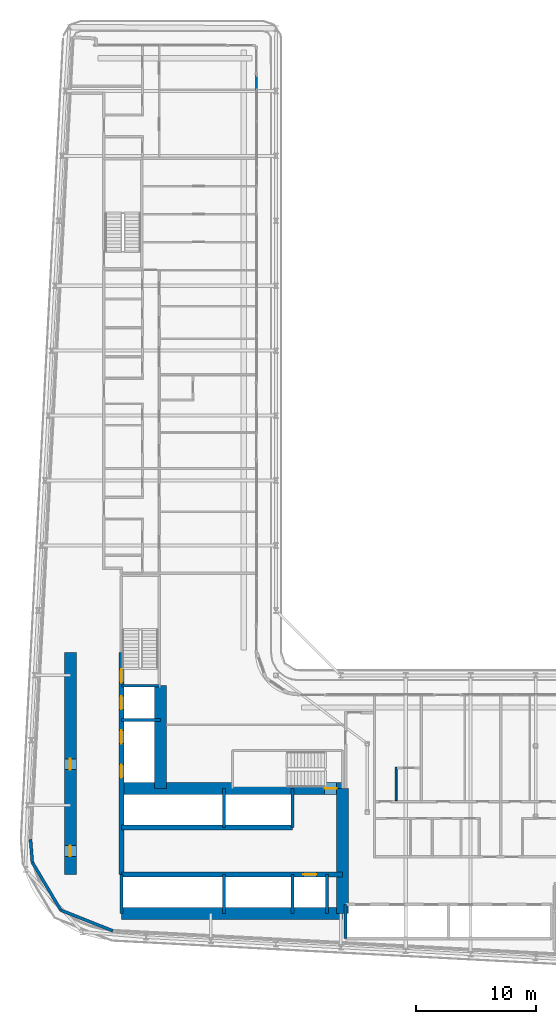
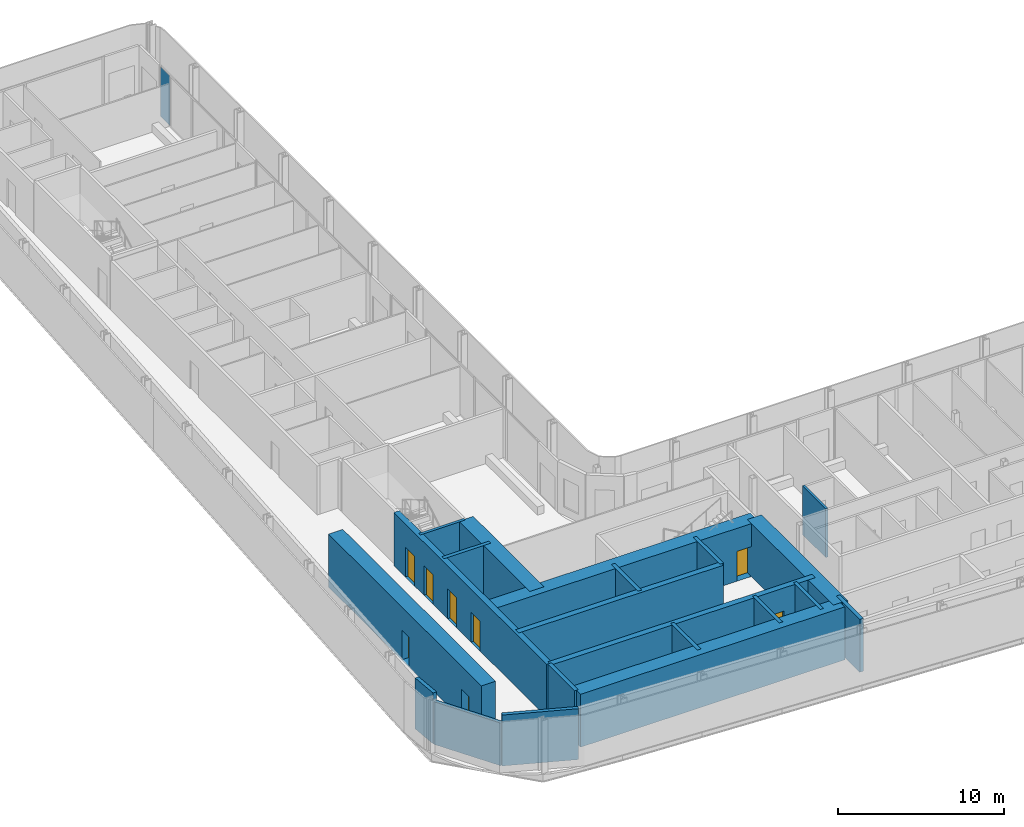
# One storey, part 12 of 28: 21 walls, 8 doors, 1 plate, 8 openings, 1 element without a shape of its own.
"""IFC4 building model written with IfcOpenShell, lengths in metres."""

from ifc_helpers import new_model, si_unit, direction, frame, frame_2d, origin, origin_2d, place, context, subcontext, project, spatial, rectangle, extrude, source, transform, mapped, material, layer, layer_set, type_object, element, fill, aggregate, save


model = new_model("IFC4")

# Units and contexts
model_context = context("Model", 3, precision=1e-05, world=origin(), true_north=direction((0.0, 1.0)))
body_context = subcontext(model_context, "Body", "Model", "MODEL_VIEW")
ifc_project = project(units=[si_unit("LENGTHUNIT", "METRE"), si_unit("AREAUNIT", "SQUARE_METRE"), si_unit("VOLUMEUNIT", "CUBIC_METRE"), si_unit("PLANEANGLEUNIT", "RADIAN"), si_unit("MASSUNIT", "GRAM", prefix="KILO")], contexts=[model_context])

# Site, building, storey
site_placement = place(None, origin())
site = spatial("IfcSite", under=ifc_project, at=site_placement, CompositionType="ELEMENT")
building_placement = place(site_placement, origin())
building = spatial("IfcBuilding", under=site, at=building_placement, Name="Kheshtan School and Residences Tower", CompositionType="ELEMENT")
storey_placement = place(building_placement, frame((0.0, 0.0, 42.199951171875)))
storey = spatial("IfcBuildingStorey", under=building, at=storey_placement, Name="L09", CompositionType="ELEMENT", Elevation=42.199951171875)

# Curtain wall, plate
ifc_material_1 = material(Name="Clear low-e glass in thermally broken aluminium frame", Category="aluminium")
ifc_layer_1 = layer(ifc_material_1, 0.199951171875)
ifc_layer_set_1 = layer_set([ifc_layer_1], Name="Curtain wall CW-L")
curtain_wall_type = type_object("IfcCurtainWallType", Name="Curtain wall CW-L", PredefinedType="NOTDEFINED", material=ifc_layer_set_1)
curtain_wall_placement = place(storey_placement, origin())
curtain_wall = element("IfcCurtainWall", 1, at=curtain_wall_placement, inside=storey, type_object=curtain_wall_type, Name="Curtain wall CWL8c", PredefinedType="NOTDEFINED")
ifc_layer_2 = layer(ifc_material_1, 0.031982421875)
ifc_layer_set_2 = layer_set([ifc_layer_2], Name="CW-L glass panel")
plate_type = type_object("IfcPlateType", Name="CW-L glass panel", PredefinedType="CURTAIN_PANEL", material=ifc_layer_set_2)
plate_placement = place(storey_placement, frame((46.0, 94.885009765625, 0.0), z_axis=(0.0, 0.0, 1.0), x_axis=(0.0, -1.0, 0.0)))
plate = element("IfcPlate", 2, at=plate_placement, type_object=plate_type, Name="CWL8c panel 1.1", PredefinedType="CURTAIN_PANEL", context=body_context, shape_type="SweptSolid", body=[
    extrude(rectangle(XDim=1.110107421875, YDim=0.031982421875, at=origin_2d()), origin(), (0.0, 0.0, 1.0), 3.6298828125),
])
aggregate(curtain_wall, [plate])

# Wall
ifc_material_2 = material(Name="Concrete C80/95", Category="concrete")
ifc_layer_3 = layer(ifc_material_2, 1.0)
ifc_layer_set_3 = layer_set([ifc_layer_3], Name="Core wall 1000 Concrete C80/95")
wall_type_1 = type_object("IfcWallType", Name="Core wall 1000 Concrete C80/95", PredefinedType="SHEAR", material=ifc_layer_set_3)
wall_1_placement = place(storey_placement, frame((34.75, 25.800048828125, 0.0), z_axis=(0.0, 0.0, 1.0), x_axis=(1.0, 0.0, 0.0)))
element("IfcWall", 3, at=wall_1_placement, inside=storey, type_object=wall_type_1, Name="Core wall CW-REAR-S", PredefinedType="SHEAR", context=body_context, shape_type="SweptSolid", body=[
    extrude(rectangle(XDim=18.39990234375, YDim=1.0, at=frame_2d((9.199951171875, 0.0))), origin(), (0.0, 0.0, 1.0), 3.900146484375),
])

# Wall, opening, door
wall_2_placement = place(storey_placement, frame((34.75, 36.199951171875, 0.0), z_axis=(0.0, 0.0, 1.0), x_axis=(1.0, 0.0, 0.0)))
wall_2 = element("IfcWall", 4, at=wall_2_placement, inside=storey, type_object=wall_type_1, Name="Core wall CW-FRONT-S", PredefinedType="SHEAR", context=body_context, shape_type="SweptSolid", body=[
    extrude(rectangle(XDim=18.39990234375, YDim=1.0, at=frame_2d((9.199951171875, 0.0))), origin(), (0.0, 0.0, 1.0), 3.900146484375),
])
opening_1_placement = place(wall_2_placement, frame((16.89990234375, 0.0, 0.0)))
opening_1 = element("IfcOpeningElement", 5, at=opening_1_placement, cuts=wall_2, Name="Opening ST1D", PredefinedType="OPENING", context=body_context, shape_type="SweptSolid", body=[
    extrude(rectangle(XDim=1.0, YDim=2.199951171875, at=frame_2d((0.5, 1.10009765625))), frame((0.0, 0.510009765625, 0.0), z_axis=(0.0, -1.0, 0.0), x_axis=(1.0, 0.0, 0.0)), (0.0, 0.0, 1.0), 1.02001953125),
])
ifc_material_3 = material(Name="Steel door leaf, galvanised", Category="steel")
door_type_1 = type_object("IfcDoorType", Name="Stair door 1100 steel 90 min", OperationType="SINGLE_SWING_LEFT", PredefinedType="DOOR", material=ifc_material_3)
shared_shape_1 = source(origin(), body_context, "Body", "SweptSolid", [
    extrude(rectangle(XDim=1.0, YDim=2.199951171875, at=frame_2d((0.5, 1.10009765625))), frame((0.0, 0.02490234375, 0.0), z_axis=(0.0, -1.0, 0.0), x_axis=(1.0, 0.0, 0.0)), (0.0, 0.0, 1.0), 0.050048828125),
])
door_1_placement = place(opening_1_placement, origin())
door_1 = element("IfcDoor", 6, at=door_1_placement, inside=storey, type_object=door_type_1, Name="Stair ST1 door", OperationType="SINGLE_SWING_RIGHT", OverallHeight=2.199951171875, OverallWidth=1.0, PredefinedType="DOOR", context=body_context, shape_type="MappedRepresentation", body=[
    mapped(shared_shape_1, transform((0.0, 0.0, 0.0), x_axis=(1.0, 0.0, 0.0), y_axis=(0.0, 1.0, 0.0), z_axis=(0.0, 0.0, 1.0), scale=1.0)),
])
fill(opening_1, door_1)

# Wall
wall_3_placement = place(storey_placement, frame((38.0, 36.199951171875, 0.0), z_axis=(0.0, 0.0, 1.0), x_axis=(0.0, 1.0, 0.0)))
element("IfcWall", 7, at=wall_3_placement, inside=storey, type_object=wall_type_1, Name="Core wall CW-FRONT-W", PredefinedType="SHEAR", context=body_context, shape_type="SweptSolid", body=[
    extrude(rectangle(XDim=8.550048828125, YDim=1.0, at=frame_2d((4.27490234375, 0.0))), origin(), (0.0, 0.0, 1.0), 3.900146484375),
])

# Wall, openings, doors
wall_4_placement = place(storey_placement, frame((30.5, 29.050048828125, 0.0), z_axis=(0.0, 0.0, 1.0), x_axis=(0.0, 1.0, 0.0)))
wall_4 = element("IfcWall", 8, at=wall_4_placement, inside=storey, type_object=wall_type_1, Name="Core wall CW-REAR-W", PredefinedType="SHEAR", context=body_context, shape_type="SweptSolid", body=[
    extrude(rectangle(XDim=18.449951171875, YDim=1.0, at=frame_2d((9.22509765625, 0.0))), origin(), (0.0, 0.0, 1.0), 3.900146484375),
])
opening_2_placement = place(wall_4_placement, frame((1.5, 0.0, 0.0)))
opening_2 = element("IfcOpeningElement", 9, at=opening_2_placement, cuts=wall_4, Name="Opening SR90", PredefinedType="OPENING", context=body_context, shape_type="SweptSolid", body=[
    extrude(rectangle(XDim=0.89990234375, YDim=2.199951171875, at=frame_2d((0.449951171875, 1.10009765625))), frame((0.0, 0.510009765625, 0.0), z_axis=(0.0, -1.0, 0.0), x_axis=(1.0, 0.0, 0.0)), (0.0, 0.0, 1.0), 1.02001953125),
])
opening_3_placement = place(wall_4_placement, frame((8.705078125, 0.0, 0.0)))
opening_3 = element("IfcOpeningElement", 10, at=opening_3_placement, cuts=wall_4, Name="Opening SR90", PredefinedType="OPENING", context=body_context, shape_type="SweptSolid", body=[
    extrude(rectangle(XDim=0.89990234375, YDim=2.199951171875, at=frame_2d((0.449951171875, 1.10009765625))), frame((0.0, 0.510009765625, 0.0), z_axis=(0.0, -1.0, 0.0), x_axis=(1.0, 0.0, 0.0)), (0.0, 0.0, 1.0), 1.02001953125),
])
door_type_2 = type_object("IfcDoorType", Name="Service room door 900 steel 90 min", OperationType="SINGLE_SWING_LEFT", PredefinedType="DOOR", material=ifc_material_3)
shared_shape_2 = source(origin(), body_context, "Body", "SweptSolid", [
    extrude(rectangle(XDim=0.89990234375, YDim=2.199951171875, at=frame_2d((0.449951171875, 1.10009765625))), frame((0.0, 0.02490234375, 0.0), z_axis=(0.0, -1.0, 0.0), x_axis=(1.0, 0.0, 0.0)), (0.0, 0.0, 1.0), 0.050048828125),
])
door_2_placement = place(opening_2_placement, origin())
door_2 = element("IfcDoor", 11, at=door_2_placement, inside=storey, type_object=door_type_2, Name="Service room door", OperationType="SINGLE_SWING_LEFT", OverallHeight=2.199951171875, OverallWidth=0.89990234375, PredefinedType="DOOR", context=body_context, shape_type="MappedRepresentation", body=[
    mapped(shared_shape_2, transform((0.0, 0.0, 0.0), x_axis=(1.0, 0.0, 0.0), y_axis=(0.0, 1.0, 0.0), z_axis=(0.0, 0.0, 1.0), scale=1.0)),
])
fill(opening_2, door_2)
door_3_placement = place(opening_3_placement, origin())
door_3 = element("IfcDoor", 12, at=door_3_placement, inside=storey, type_object=door_type_2, Name="Service room door", OperationType="SINGLE_SWING_LEFT", OverallHeight=2.199951171875, OverallWidth=0.89990234375, PredefinedType="DOOR", context=body_context, shape_type="MappedRepresentation", body=[
    mapped(shared_shape_2, transform((0.0, 0.0, 0.0), x_axis=(1.0, 0.0, 0.0), y_axis=(0.0, 1.0, 0.0), z_axis=(0.0, 0.0, 1.0), scale=1.0)),
])
fill(opening_3, door_3)

# Wall
wall_5_placement = place(storey_placement, frame((53.14990234375, 25.800048828125, 0.0), z_axis=(0.0, 0.0, 1.0), x_axis=(0.0, 1.0, 0.0)))
element("IfcWall", 13, at=wall_5_placement, inside=storey, type_object=wall_type_1, Name="Core wall CW-EAST", PredefinedType="SHEAR", context=body_context, shape_type="SweptSolid", body=[
    extrude(rectangle(XDim=10.39990234375, YDim=1.0, at=frame_2d((5.199951171875, 0.0))), origin(), (0.0, 0.0, 1.0), 3.900146484375),
])

# Wall, opening, door
ifc_material_4 = material(Name="Concrete C50/60", Category="concrete")
ifc_layer_4 = layer(ifc_material_4, 0.39990234375)
ifc_layer_set_4 = layer_set([ifc_layer_4], Name="Core wall 400 Concrete C50/60")
wall_type_2 = type_object("IfcWallType", Name="Core wall 400 Concrete C50/60", PredefinedType="SHEAR", material=ifc_layer_set_4)
wall_6_placement = place(storey_placement, frame((34.75, 29.050048828125, 0.0), z_axis=(0.0, 0.0, 1.0), x_axis=(1.0, 0.0, 0.0)))
wall_6 = element("IfcWall", 14, at=wall_6_placement, inside=storey, type_object=wall_type_2, Name="Core wall CW-HALL-S1", PredefinedType="SHEAR", context=body_context, shape_type="SweptSolid", body=[
    extrude(rectangle(XDim=18.39990234375, YDim=0.39990234375, at=frame_2d((9.199951171875, 0.0))), origin(), (0.0, 0.0, 1.0), 3.900146484375),
])
opening_4_placement = place(wall_6_placement, frame((15.125, 0.0, 0.0)))
opening_4 = element("IfcOpeningElement", 15, at=opening_4_placement, cuts=wall_6, Name="Opening LD", PredefinedType="OPENING", context=body_context, shape_type="SweptSolid", body=[
    extrude(rectangle(XDim=1.10009765625, YDim=2.199951171875, at=frame_2d((0.550048828125, 1.10009765625))), frame((0.0, 0.2099609375, 0.0), z_axis=(0.0, -1.0, 0.0), x_axis=(1.0, 0.0, 0.0)), (0.0, 0.0, 1.0), 0.419921875),
])
ifc_material_5 = material(Name="Stainless steel door leaves", Category="steel")
door_type_3 = type_object("IfcDoorType", Name="Lift landing door 1100", OperationType="SLIDING_TO_LEFT", PredefinedType="DOOR", material=ifc_material_5)
shared_shape_3 = source(origin(), body_context, "Body", "SweptSolid", [
    extrude(rectangle(XDim=1.10009765625, YDim=2.199951171875, at=frame_2d((0.550048828125, 1.10009765625))), frame((0.0, 0.02490234375, 0.0), z_axis=(0.0, -1.0, 0.0), x_axis=(1.0, 0.0, 0.0)), (0.0, 0.0, 1.0), 0.050048828125),
])
door_4_placement = place(opening_4_placement, origin())
door_4 = element("IfcDoor", 16, at=door_4_placement, inside=storey, type_object=door_type_3, Name="Lift FFL2 landing door", OperationType="SLIDING_TO_LEFT", OverallHeight=2.199951171875, OverallWidth=1.10009765625, PredefinedType="DOOR", context=body_context, shape_type="MappedRepresentation", body=[
    mapped(shared_shape_3, transform((0.0, 0.0, 0.0), x_axis=(1.0, 0.0, 0.0), y_axis=(0.0, 1.0, 0.0), z_axis=(0.0, 0.0, 1.0), scale=1.0)),
])
fill(opening_4, door_4)

# Wall
wall_7_placement = place(storey_placement, frame((34.75, 32.949951171875, 0.0), z_axis=(0.0, 0.0, 1.0), x_axis=(1.0, 0.0, 0.0)))
element("IfcWall", 17, at=wall_7_placement, inside=storey, type_object=wall_type_2, Name="Core wall CW-HALL-S2", PredefinedType="SHEAR", context=body_context, shape_type="SweptSolid", body=[
    extrude(rectangle(XDim=14.25, YDim=0.39990234375, at=frame_2d((7.125, 0.0))), origin(), (0.0, 0.0, 1.0), 3.900146484375),
])

# Wall, openings, doors
wall_8_placement = place(storey_placement, frame((34.75, 29.050048828125, 0.0), z_axis=(0.0, 0.0, 1.0), x_axis=(0.0, 1.0, 0.0)))
wall_8 = element("IfcWall", 18, at=wall_8_placement, inside=storey, type_object=wall_type_2, Name="Core wall CW-HALL-W1", PredefinedType="SHEAR", context=body_context, shape_type="SweptSolid", body=[
    extrude(rectangle(XDim=18.449951171875, YDim=0.39990234375, at=frame_2d((9.22509765625, 0.0))), origin(), (0.0, 0.0, 1.0), 3.900146484375),
])
opening_5_placement = place(wall_8_placement, frame((8.02490234375, 0.0, 0.0)))
opening_5 = element("IfcOpeningElement", 19, at=opening_5_placement, cuts=wall_8, Name="Opening LD", PredefinedType="OPENING", context=body_context, shape_type="SweptSolid", body=[
    extrude(rectangle(XDim=1.10009765625, YDim=2.199951171875, at=frame_2d((0.550048828125, 1.10009765625))), frame((0.0, 0.2099609375, 0.0), z_axis=(0.0, -1.0, 0.0), x_axis=(1.0, 0.0, 0.0)), (0.0, 0.0, 1.0), 0.419921875),
])
opening_6_placement = place(wall_8_placement, frame((10.875, 0.0, 0.0)))
opening_6 = element("IfcOpeningElement", 20, at=opening_6_placement, cuts=wall_8, Name="Opening LD", PredefinedType="OPENING", context=body_context, shape_type="SweptSolid", body=[
    extrude(rectangle(XDim=1.10009765625, YDim=2.199951171875, at=frame_2d((0.550048828125, 1.10009765625))), frame((0.0, 0.2099609375, 0.0), z_axis=(0.0, -1.0, 0.0), x_axis=(1.0, 0.0, 0.0)), (0.0, 0.0, 1.0), 0.419921875),
])
opening_7_placement = place(wall_8_placement, frame((13.72509765625, 0.0, 0.0)))
opening_7 = element("IfcOpeningElement", 21, at=opening_7_placement, cuts=wall_8, Name="Opening LD", PredefinedType="OPENING", context=body_context, shape_type="SweptSolid", body=[
    extrude(rectangle(XDim=1.10009765625, YDim=2.199951171875, at=frame_2d((0.550048828125, 1.10009765625))), frame((0.0, 0.2099609375, 0.0), z_axis=(0.0, -1.0, 0.0), x_axis=(1.0, 0.0, 0.0)), (0.0, 0.0, 1.0), 0.419921875),
])
opening_8_placement = place(wall_8_placement, frame((15.949951171875, 0.0, 0.0)))
opening_8 = element("IfcOpeningElement", 22, at=opening_8_placement, cuts=wall_8, Name="Opening ST2D", PredefinedType="OPENING", context=body_context, shape_type="SweptSolid", body=[
    extrude(rectangle(XDim=1.10009765625, YDim=2.199951171875, at=frame_2d((0.550048828125, 1.10009765625))), frame((0.0, 0.2099609375, 0.0), z_axis=(0.0, -1.0, 0.0), x_axis=(1.0, 0.0, 0.0)), (0.0, 0.0, 1.0), 0.419921875),
])
door_5_placement = place(opening_5_placement, origin())
door_5 = element("IfcDoor", 23, at=door_5_placement, inside=storey, type_object=door_type_3, Name="Lift SV1 landing door", OperationType="SLIDING_TO_LEFT", OverallHeight=2.199951171875, OverallWidth=1.10009765625, PredefinedType="DOOR", context=body_context, shape_type="MappedRepresentation", body=[
    mapped(shared_shape_3, transform((0.0, 0.0, 0.0), x_axis=(1.0, 0.0, 0.0), y_axis=(0.0, 1.0, 0.0), z_axis=(0.0, 0.0, 1.0), scale=1.0)),
])
fill(opening_5, door_5)
door_6_placement = place(opening_6_placement, origin())
door_6 = element("IfcDoor", 24, at=door_6_placement, inside=storey, type_object=door_type_3, Name="Lift SV2 landing door", OperationType="SLIDING_TO_LEFT", OverallHeight=2.199951171875, OverallWidth=1.10009765625, PredefinedType="DOOR", context=body_context, shape_type="MappedRepresentation", body=[
    mapped(shared_shape_3, transform((0.0, 0.0, 0.0), x_axis=(1.0, 0.0, 0.0), y_axis=(0.0, 1.0, 0.0), z_axis=(0.0, 0.0, 1.0), scale=1.0)),
])
fill(opening_6, door_6)
door_7_placement = place(opening_7_placement, origin())
door_7 = element("IfcDoor", 25, at=door_7_placement, inside=storey, type_object=door_type_3, Name="Lift FFL1 landing door", OperationType="SLIDING_TO_LEFT", OverallHeight=2.199951171875, OverallWidth=1.10009765625, PredefinedType="DOOR", context=body_context, shape_type="MappedRepresentation", body=[
    mapped(shared_shape_3, transform((0.0, 0.0, 0.0), x_axis=(1.0, 0.0, 0.0), y_axis=(0.0, 1.0, 0.0), z_axis=(0.0, 0.0, 1.0), scale=1.0)),
])
fill(opening_7, door_7)
shared_shape_4 = source(origin(), body_context, "Body", "SweptSolid", [
    extrude(rectangle(XDim=1.10009765625, YDim=2.199951171875, at=frame_2d((0.550048828125, 1.10009765625))), frame((0.0, 0.02490234375, 0.0), z_axis=(0.0, -1.0, 0.0), x_axis=(1.0, 0.0, 0.0)), (0.0, 0.0, 1.0), 0.050048828125),
])
door_8_placement = place(opening_8_placement, origin())
door_8 = element("IfcDoor", 26, at=door_8_placement, inside=storey, type_object=door_type_1, Name="Stair ST2 door", OperationType="SINGLE_SWING_RIGHT", OverallHeight=2.199951171875, OverallWidth=1.10009765625, PredefinedType="DOOR", context=body_context, shape_type="MappedRepresentation", body=[
    mapped(shared_shape_4, transform((0.0, 0.0, 0.0), x_axis=(1.0, 0.0, 0.0), y_axis=(0.0, 1.0, 0.0), z_axis=(0.0, 0.0, 1.0), scale=1.0)),
])
fill(opening_8, door_8)

# Walls
ifc_material_6 = material(Name="Concrete C40/50 with ceramic cladding and mineral wool insulation", Category="concrete")
ifc_layer_5 = layer(ifc_material_6, 0.25)
ifc_layer_set_5 = layer_set([ifc_layer_5], Name="External wall 250 ceramic clad")
wall_type_3 = type_object("IfcWallType", Name="External wall 250 ceramic clad", PredefinedType="SOLIDWALL", material=ifc_layer_set_5)
wall_9_placement = place(storey_placement, frame((34.0390625, 24.35302734375, 0.0), z_axis=(0.0, 0.0, 1.0), x_axis=(-0.929352825399, 0.369192803184, 0.0)))
element("IfcWall", 27, at=wall_9_placement, inside=storey, type_object=wall_type_3, Name="External wall L09 1", PredefinedType="SOLIDWALL", context=body_context, shape_type="SweptSolid", body=[
    extrude(rectangle(XDim=4.656005859375, YDim=0.25, at=frame_2d((2.328125, 0.0))), origin(), (0.0, 0.0, 1.0), 3.75),
])
wall_10_placement = place(storey_placement, frame((29.7119140625, 26.072021484375, 0.0), z_axis=(0.0, 0.0, 1.0), x_axis=(-0.511028049012, 0.859564036662, 0.0)))
element("IfcWall", 28, at=wall_10_placement, inside=storey, type_object=wall_type_3, Name="External wall L09 2", PredefinedType="SOLIDWALL", context=body_context, shape_type="SweptSolid", body=[
    extrude(rectangle(XDim=4.633544921875, YDim=0.25, at=frame_2d((2.31689453125, 0.0))), origin(), (0.0, 0.0, 1.0), 3.133056640625),
])
wall_11_placement = place(storey_placement, frame((27.343994140625, 30.054931640625, 0.0), z_axis=(0.0, 0.0, 1.0), x_axis=(-0.077571675317, 0.99698677784, 0.0)))
element("IfcWall", 29, at=wall_11_placement, inside=storey, type_object=wall_type_3, Name="External wall L09 3", PredefinedType="SOLIDWALL", context=body_context, shape_type="SweptSolid", body=[
    extrude(rectangle(XDim=1.919921875, YDim=0.25, at=frame_2d((0.9599609375, 0.0))), origin(), (0.0, 0.0, 1.0), 3.75),
])
ifc_material_7 = material(Name="Fire-board shaft wall system")
ifc_layer_6 = layer(ifc_material_7, 0.25)
ifc_layer_set_6 = layer_set([ifc_layer_6], Name="Shaft lining wall 250")
wall_type_4 = type_object("IfcWallType", Name="Shaft lining wall 250", PredefinedType="PARTITIONING", material=ifc_layer_set_6)
for number, where, z_axis, x_axis, name in (
    (30, (34.75, 25.800048828125, 0.0), (0.0, 0.0, 1.0), (0.0, 1.0, 0.0), "Shaft lining wall"),
    (31, (43.300048828125, 25.800048828125, 0.0), (0.0, 0.0, 1.0), (0.0, 1.0, 0.0), "Shaft lining wall"),
    (32, (43.300048828125, 32.949951171875, 0.0), (0.0, 0.0, 1.0), (0.0, 1.0, 0.0), "Shaft lining wall"),
    (33, (49.0, 25.800048828125, 0.0), (0.0, 0.0, 1.0), (0.0, 1.0, 0.0), "Shaft lining wall"),
    (34, (49.0, 32.949951171875, 0.0), (0.0, 0.0, 1.0), (0.0, 1.0, 0.0), "Shaft lining wall"),
    (35, (51.85009765625, 25.800048828125, 0.0), (0.0, 0.0, 1.0), (0.0, 1.0, 0.0), "Shaft lining wall"),
):
    element("IfcWall", number, at=place(storey_placement, frame(where, z_axis=z_axis, x_axis=x_axis)), inside=storey, type_object=wall_type_4, Name=name, PredefinedType="PARTITIONING", context=body_context, shape_type="SweptSolid", body=[
        extrude(rectangle(XDim=3.25, YDim=0.25, at=frame_2d((1.625, 0.0))), origin(), (0.0, 0.0, 1.0), 3.900146484375),
    ])
wall_12_placement = place(storey_placement, frame((53.39990234375, 23.699951171875, 0.0), z_axis=(0.0, 0.0, 1.0), x_axis=(0.0, 1.0, 0.0)))
element("IfcWall", 36, at=wall_12_placement, inside=storey, type_object=wall_type_4, Name="Shaft lining wall", PredefinedType="PARTITIONING", context=body_context, shape_type="SweptSolid", body=[
    extrude(rectangle(XDim=2.85009765625, YDim=0.25, at=frame_2d((1.425048828125, 0.0))), origin(), (0.0, 0.0, 1.0), 3.900146484375),
])
wall_13_placement = place(storey_placement, frame((34.75, 41.89990234375, 0.0), z_axis=(0.0, 0.0, 1.0), x_axis=(1.0, 0.0, 0.0)))
element("IfcWall", 37, at=wall_13_placement, inside=storey, type_object=wall_type_4, Name="Shaft lining wall", PredefinedType="PARTITIONING", context=body_context, shape_type="SweptSolid", body=[
    extrude(rectangle(XDim=3.25, YDim=0.25, at=frame_2d((1.625, 0.0))), origin(), (0.0, 0.0, 1.0), 3.900146484375),
])
ifc_material_8 = material(Name="Concrete C40/50", Category="concrete")
ifc_layer_7 = layer(ifc_material_8, 0.199951171875)
ifc_layer_set_7 = layer_set([ifc_layer_7], Name="Stair enclosure wall 200 Concrete C40/50")
wall_type_5 = type_object("IfcWallType", Name="Stair enclosure wall 200 Concrete C40/50", PredefinedType="SHEAR", material=ifc_layer_set_7)
wall_14_placement = place(storey_placement, frame((34.75, 44.75, 0.0), z_axis=(0.0, 0.0, 1.0), x_axis=(1.0, 0.0, 0.0)))
element("IfcWall", 38, at=wall_14_placement, inside=storey, type_object=wall_type_5, Name="Stair enclosure wall ST2", PredefinedType="SHEAR", context=body_context, shape_type="SweptSolid", body=[
    extrude(rectangle(XDim=3.14990234375, YDim=0.199951171875, at=frame_2d((1.574951171875, 0.0))), origin(), (0.0, 0.0, 1.0), 3.900146484375),
])
ifc_material_9 = material(Name="Moisture-resistant gypsum board on steel studs", Category="steel")
ifc_layer_8 = layer(ifc_material_9, 0.14990234375)
ifc_layer_set_8 = layer_set([ifc_layer_8], Name="Wet-room partition 150")
wall_type_6 = type_object("IfcWallType", Name="Wet-room partition 150", PredefinedType="PARTITIONING", material=ifc_layer_set_8)
wall_15_placement = place(storey_placement, frame((57.60009765625, 35.175048828125, 0.0), z_axis=(0.0, 0.0, 1.0), x_axis=(0.0, 1.0, 0.0)))
element("IfcWall", 39, at=wall_15_placement, inside=storey, type_object=wall_type_6, Name="Partition L09-050", PredefinedType="PARTITIONING", context=body_context, shape_type="SweptSolid", body=[
    extrude(rectangle(XDim=2.800048828125, YDim=0.14990234375, at=frame_2d((1.39990234375, 0.0))), origin(), (0.0, 0.0, 1.0), 3.60009765625),
])

save(model, "model.ifc")
